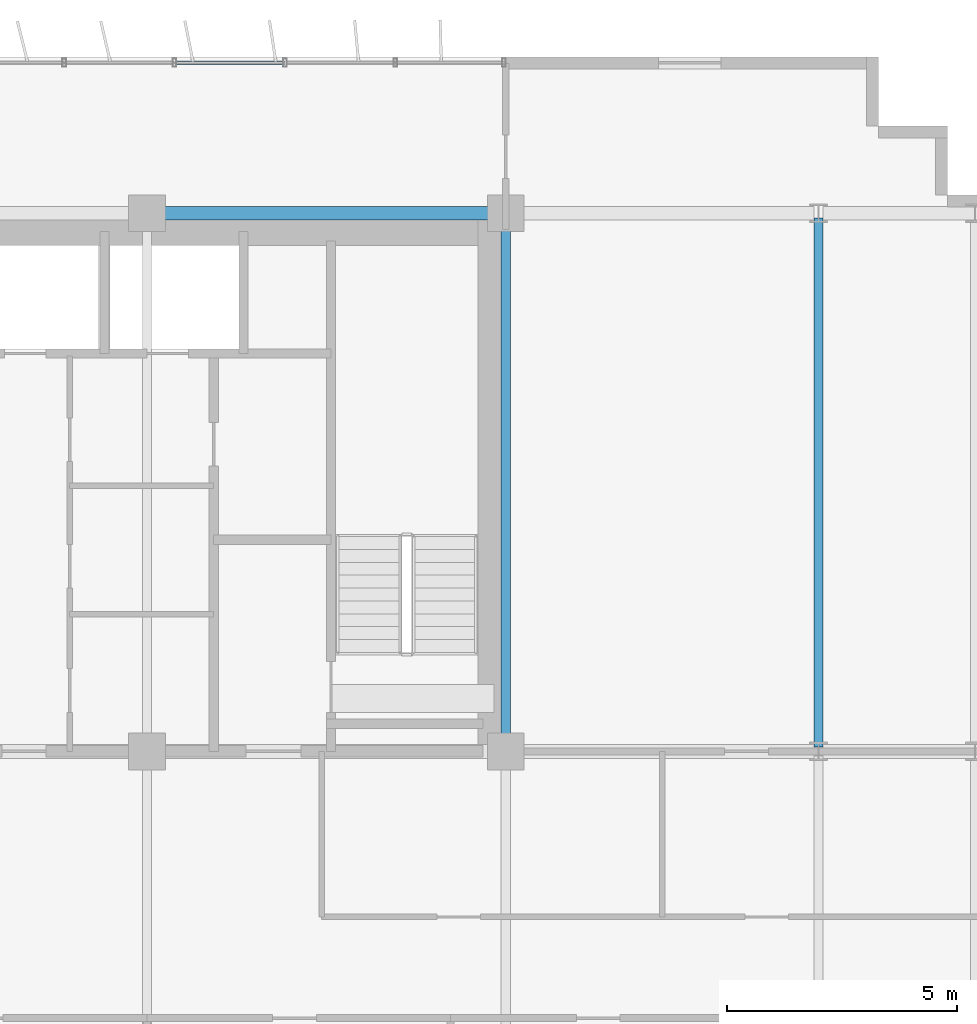
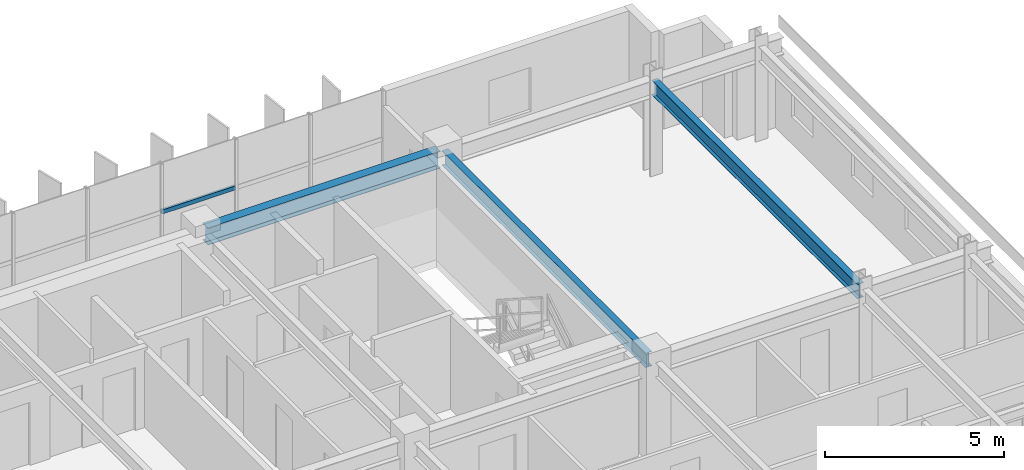
# One storey, part 14 of 26: 3 beams, 1 member, 1 element without a shape of its own.
"""IFC4 building model written with IfcOpenShell, lengths in metres."""

import ifcopenshell
import ifcopenshell.guid

model = None  # the IFC model being written
_history = None  # IfcOwnerHistory: only IFC2X3 demands one
_inside = {}  # id of a spatial element -> (the spatial element, [elements in it])
_under = {}  # id of a project, library or spatial element -> (it, [spatial elements below it])
_declared = {}  # id of a project -> (the project, [libraries it declares])
_typed = {}  # id of a type object -> (the type object, [elements of that type])
_made_of = {}  # id of a material, layer set ... -> (it, [elements and type objects made of it])


def new_model(schema):
    """Start an empty IFC model of exactly this schema.

    Asked for "IFC4X3", IfcOpenShell would pick the latest addendum, in which some entities
    have other attributes; the version numbers below select the first issue.
    IFC2X3 requires an IfcOwnerHistory on every rooted entity: one is made here for all.
    """
    global model, _history
    if schema == "IFC4X3":
        model = ifcopenshell.file(schema_version=(4, 3, 0, 0))
    else:
        model = ifcopenshell.file(schema=schema)
    _inside.clear()
    _under.clear()
    _declared.clear()
    _typed.clear()
    _made_of.clear()
    _history = None
    if model.schema == "IFC2X3":
        org = make("IfcOrganization", Name="unknown")
        user = make(
            "IfcPersonAndOrganization",
            ThePerson=make("IfcPerson", FamilyName="unknown"),
            TheOrganization=org,
        )
        app = make(
            "IfcApplication",
            ApplicationDeveloper=org,
            Version="unknown",
            ApplicationFullName="unknown",
            ApplicationIdentifier="unknown",
        )
        _history = make(
            "IfcOwnerHistory",
            OwningUser=user,
            OwningApplication=app,
            ChangeAction="ADDED",
            CreationDate=0,
        )
    return model


def make(cls, **values):
    """One entity of the class cls with the attributes given. An attribute that is None is left unset."""
    return model.create_entity(
        cls, **{name: value for name, value in values.items() if value is not None}
    )


def rooted(cls, **values):
    """An entity with a GlobalId (a new one), such as an element, a storey or a relation."""
    return make(cls, GlobalId=ifcopenshell.guid.new(), OwnerHistory=_history, **values)


def si_unit(unit_type, name, prefix=None):
    """IfcSIUnit, for example si_unit("LENGTHUNIT", "METRE", prefix="MILLI")."""
    return make("IfcSIUnit", UnitType=unit_type, Prefix=prefix, Name=name)


def assignment(units):
    """IfcUnitAssignment: the units of a project."""
    return None if units is None else make("IfcUnitAssignment", Units=units)


def point(xyz):
    """IfcCartesianPoint."""
    return None if xyz is None else make("IfcCartesianPoint", Coordinates=xyz)


def direction(xyz):
    """IfcDirection."""
    return None if xyz is None else make("IfcDirection", DirectionRatios=xyz)


def frame(location, z_axis=None, x_axis=None):
    """IfcAxis2Placement3D, a coordinate frame: its origin and axes. An axis left out is left unset."""
    return make(
        "IfcAxis2Placement3D",
        Location=point(location),
        Axis=direction(z_axis),
        RefDirection=direction(x_axis),
    )


def frame_2d(location, x_axis=None):
    """IfcAxis2Placement2D, a coordinate frame in the plane: its origin and x axis."""
    return make(
        "IfcAxis2Placement2D", Location=point(location), RefDirection=direction(x_axis)
    )


def origin():
    """The frame at (0, 0, 0) with its axes left unset."""
    return frame((0.0, 0.0, 0.0))


def origin_2d():
    """The frame at (0, 0) in the plane with its x axis left unset."""
    return frame_2d((0.0, 0.0))


def place(relative_to, where):
    """IfcLocalPlacement: puts the frame where relative to a parent placement (None: the world)."""
    return make(
        "IfcLocalPlacement", PlacementRelTo=relative_to, RelativePlacement=where
    )


def context(
    kind, dimensions, precision=None, world=None, true_north=None, identifier=None
):
    """IfcGeometricRepresentationContext, for example the 3D "Model" context."""
    return make(
        "IfcGeometricRepresentationContext",
        ContextIdentifier=identifier,
        ContextType=kind,
        CoordinateSpaceDimension=dimensions,
        Precision=precision,
        WorldCoordinateSystem=world,
        TrueNorth=true_north,
    )


def subcontext(parent, identifier, kind, view, scale=None):
    """IfcGeometricRepresentationSubContext, for example "Body" below "Model"."""
    return make(
        "IfcGeometricRepresentationSubContext",
        ContextIdentifier=identifier,
        ContextType=kind,
        ParentContext=parent,
        TargetScale=scale,
        TargetView=view,
    )


def project(units=None, contexts=None):
    """IfcProject with its units and contexts."""
    return rooted(
        "IfcProject",
        Name="project",
        RepresentationContexts=contexts,
        UnitsInContext=assignment(units),
    )


def spatial(cls, under=None, at=None, **own):
    """A site, building, storey or space (cls), placed at a placement, below another one or the project."""
    s = rooted(cls, ObjectPlacement=at, **own)
    if under is not None:
        _under.setdefault(under.id(), (under, []))[1].append(s)
    return s


def profile(cls, at=None, kind="AREA", **sizes):
    """A parametric profile (cls). Its sizes go by their IFC names, for example OverallWidth=200.0."""
    return make(cls, ProfileType=kind, Position=at, **sizes)


def hollow_rectangle(**sizes):
    """IfcRectangleHollowProfileDef."""
    return profile("IfcRectangleHollowProfileDef", **sizes)


def i_section(**sizes):
    """IfcIShapeProfileDef."""
    return profile("IfcIShapeProfileDef", **sizes)


def extrude(swept, where, along, depth):
    """IfcExtrudedAreaSolid: the profile swept, set in the frame where, extruded along a direction by depth."""
    return make(
        "IfcExtrudedAreaSolid",
        SweptArea=swept,
        Position=where,
        ExtrudedDirection=direction(along),
        Depth=depth,
    )


def shape(context_of_items, identifier, shape_type, items):
    """IfcShapeRepresentation: the items that make up one representation, for example the "Body"."""
    return make(
        "IfcShapeRepresentation",
        ContextOfItems=context_of_items,
        RepresentationIdentifier=identifier,
        RepresentationType=shape_type,
        Items=items,
    )


def source(mapping_origin, context_of_items, identifier, shape_type, items):
    """IfcRepresentationMap: a shape defined once, which mapped items show again and again."""
    return make(
        "IfcRepresentationMap",
        MappingOrigin=mapping_origin,
        MappedRepresentation=shape(context_of_items, identifier, shape_type, items),
    )


def transform(
    local_origin,
    x_axis=None,
    y_axis=None,
    z_axis=None,
    scale=None,
    scale2=None,
    scale3=None,
    uniform=True,
):
    """IfcCartesianTransformationOperator3D, or its non-uniform kind. x_axis, y_axis, z_axis: its Axis1, 2, 3."""
    if uniform:
        return make(
            "IfcCartesianTransformationOperator3D",
            Axis1=direction(x_axis),
            Axis2=direction(y_axis),
            LocalOrigin=point(local_origin),
            Scale=scale,
            Axis3=direction(z_axis),
        )
    return make(
        "IfcCartesianTransformationOperator3DnonUniform",
        Axis1=direction(x_axis),
        Axis2=direction(y_axis),
        LocalOrigin=point(local_origin),
        Scale=scale,
        Axis3=direction(z_axis),
        Scale2=scale2,
        Scale3=scale3,
    )


def mapped(mapping_source, mapping_target):
    """IfcMappedItem: shows the shape of a source again, moved by a transform."""
    return make(
        "IfcMappedItem", MappingSource=mapping_source, MappingTarget=mapping_target
    )


def material(Name=None, Category=None):
    """IfcMaterial."""
    return make("IfcMaterial", Name=Name, Category=Category)


def material_profile(
    of_material, cross_section, Name=None, Category=None, Priority=None
):
    """IfcMaterialProfile: a cross section and its material."""
    return make(
        "IfcMaterialProfile",
        Name=Name,
        Material=of_material,
        Profile=cross_section,
        Priority=Priority,
        Category=Category,
    )


def profile_set(profiles, Name=None, composite=None):
    """IfcMaterialProfileSet."""
    return make(
        "IfcMaterialProfileSet",
        Name=Name,
        MaterialProfiles=profiles,
        CompositeProfile=composite,
    )


def made_of(thing, what):
    """Note that an element or type object is made of a material, layer set ...; save() writes the relation."""
    if what is not None:
        _made_of.setdefault(what.id(), (what, []))[1].append(thing)
    return thing


def type_object(cls, material=None, **own):
    """A type object (cls), such as IfcWallType, which elements share."""
    return made_of(rooted(cls, **own), material)


def element(
    cls,
    number,
    at=None,
    inside=None,
    cuts=None,
    type_object=None,
    material=None,
    context=None,
    identifier="Body",
    shape_type=None,
    held_by="IfcProductDefinitionShape",
    body=None,
    shapes=None,
    **own,
):
    """One element of the class cls, such as IfcWall. Its Tag is "e" and its number.

    at: its placement. inside: the storey or other place that contains it. cuts: it is an
    opening in that element (IfcRelVoidsElement). A single representation is given by context,
    identifier, shape_type and body (its items); several are given by shapes. held_by: the class
    of the entity that holds the representations. save() writes the other relations.
    """
    e = rooted(cls, Tag="e%d" % number, ObjectPlacement=at, **own)
    if body is not None:
        shapes = [shape(context, identifier, shape_type, body)]
    if shapes is not None:
        e.Representation = make(held_by, Representations=shapes)
    if inside is not None:
        _inside.setdefault(inside.id(), (inside, []))[1].append(e)
    if cuts is not None:
        rooted(
            "IfcRelVoidsElement", RelatingBuildingElement=cuts, RelatedOpeningElement=e
        )
    if type_object is not None:
        _typed.setdefault(type_object.id(), (type_object, []))[1].append(e)
    return made_of(e, material)


def aggregate(whole, parts):
    """IfcRelAggregates: a whole, such as a stair, and the parts it consists of."""
    return rooted("IfcRelAggregates", RelatingObject=whole, RelatedObjects=parts)


def save(model, path):
    """Write the relations noted so far, then the file.

    IfcRelAggregates (storeys below a building ...), IfcRelContainedInSpatialStructure (elements
    in a storey), IfcRelDefinesByType, IfcRelAssociatesMaterial and IfcRelDeclares: one each for
    every whole, place, type object, material and project.
    """
    for whole, parts in _under.values():
        aggregate(whole, parts)
    for where, things in _inside.values():
        rooted(
            "IfcRelContainedInSpatialStructure",
            RelatedElements=things,
            RelatingStructure=where,
        )
    for kind, things in _typed.values():
        rooted("IfcRelDefinesByType", RelatedObjects=things, RelatingType=kind)
    for what, things in _made_of.values():
        rooted("IfcRelAssociatesMaterial", RelatedObjects=things, RelatingMaterial=what)
    for by, libraries in _declared.values():
        rooted("IfcRelDeclares", RelatingContext=by, RelatedDefinitions=libraries)
    model.write(path)


model = new_model("IFC4")

# Units and contexts
model_context = context("Model", 3, precision=1e-05, world=origin(), true_north=direction((0.0, 1.0)))
body_context = subcontext(model_context, "Body", "Model", "MODEL_VIEW")
ifc_project = project(units=[si_unit("LENGTHUNIT", "METRE"), si_unit("AREAUNIT", "SQUARE_METRE"), si_unit("VOLUMEUNIT", "CUBIC_METRE"), si_unit("PLANEANGLEUNIT", "RADIAN"), si_unit("MASSUNIT", "GRAM", prefix="KILO")], contexts=[model_context])

# Site, building, storey
site_placement = place(None, origin())
site = spatial("IfcSite", under=ifc_project, at=site_placement, CompositionType="ELEMENT")
building_placement = place(site_placement, origin())
building = spatial("IfcBuilding", under=site, at=building_placement, Name="Trelvane Seafront Commons", CompositionType="ELEMENT")
storey_placement = place(building_placement, frame((0.0, 0.0, 128.5)))
storey = spatial("IfcBuildingStorey", under=building, at=storey_placement, Name="L33", CompositionType="ELEMENT", Elevation=128.5)

# Beams
ifc_material_1 = material(Name="Steel SM355 (S355)", Category="steel")
ifc_material_profile_1 = material_profile(ifc_material_1, i_section(OverallWidth=0.300048828125, OverallDepth=0.587890625, WebThickness=0.011962890625, FlangeThickness=0.02001953125, at=origin_2d()), Name="H-588x300x12x20")
ifc_profile_set_1 = profile_set([ifc_material_profile_1], Name="Steel SM355 (S355)")
beam_type_1 = type_object("IfcBeamType", Name="STR-BM-H588", PredefinedType="BEAM", material=ifc_profile_set_1)
shared_shape_1 = source(origin(), body_context, "Body", "SweptSolid", [
    extrude(i_section(OverallWidth=0.300048828125, OverallDepth=0.587890625, WebThickness=0.011962890625, FlangeThickness=0.02001953125, at=origin_2d()), origin(), (0.0, 0.0, 1.0), 7.5),
])
beam_1_placement = place(storey_placement, frame((51.14990234375, 45.10009765625, 2.926025390625), z_axis=(1.0, 0.0, 0.0), x_axis=(0.0, 1.0, 0.0)))
element("IfcBeam", 1, at=beam_1_placement, inside=storey, type_object=beam_type_1, Name="L33 Primary Girder G-34", PredefinedType="BEAM", context=body_context, shape_type="MappedRepresentation", body=[
    mapped(shared_shape_1, transform((0.0, 0.0, 0.0), x_axis=(1.0, 0.0, 0.0), y_axis=(0.0, 1.0, 0.0), z_axis=(0.0, 0.0, 1.0), scale=1.0)),
])
ifc_material_profile_2 = material_profile(ifc_material_1, i_section(OverallWidth=0.199951171875, OverallDepth=0.5, WebThickness=0.010009765625, FlangeThickness=0.01611328125, at=origin_2d()), Name="H-500x200x10x16")
ifc_profile_set_2 = profile_set([ifc_material_profile_2], Name="Steel SM355 (S355)")
beam_type_2 = type_object("IfcBeamType", Name="STR-BM-H500", PredefinedType="BEAM", material=ifc_profile_set_2)
shared_shape_2 = source(origin(), body_context, "Body", "SweptSolid", [
    extrude(i_section(OverallWidth=0.199951171875, OverallDepth=0.5, WebThickness=0.010009765625, FlangeThickness=0.01611328125, at=origin_2d()), origin(), (0.0, 0.0, 1.0), 11.5),
])
beam_2_placement = place(storey_placement, frame((65.60009765625, 33.5, 2.969970703125), z_axis=(0.0, 1.0, 0.0), x_axis=(-1.0, 0.0, 0.0)))
element("IfcBeam", 2, at=beam_2_placement, inside=storey, type_object=beam_type_2, Name="L33 Primary Girder G-63", PredefinedType="BEAM", context=body_context, shape_type="MappedRepresentation", body=[
    mapped(shared_shape_2, transform((0.0, 0.0, 0.0), x_axis=(1.0, 0.0, 0.0), y_axis=(0.0, 1.0, 0.0), z_axis=(0.0, 0.0, 1.0), scale=1.0)),
])
shared_shape_3 = source(origin(), body_context, "Body", "SweptSolid", [
    extrude(i_section(OverallWidth=0.199951171875, OverallDepth=0.5, WebThickness=0.010009765625, FlangeThickness=0.01611328125, at=origin_2d()), origin(), (0.0, 0.0, 1.0), 11.39990234375),
])
beam_3_placement = place(storey_placement, frame((58.800048828125, 33.550048828125, 2.969970703125), z_axis=(0.0, 1.0, 0.0), x_axis=(-1.0, 0.0, 0.0)))
element("IfcBeam", 3, at=beam_3_placement, inside=storey, type_object=beam_type_2, Name="L33 Primary Girder G-60", PredefinedType="BEAM", context=body_context, shape_type="MappedRepresentation", body=[
    mapped(shared_shape_3, transform((0.0, 0.0, 0.0), x_axis=(1.0, 0.0, 0.0), y_axis=(0.0, 1.0, 0.0), z_axis=(0.0, 0.0, 1.0), scale=1.0)),
])

# Curtain wall, member
ifc_material_2 = material(Name="Anodised pale-silver aluminium", Category="aluminium")
curtain_wall_type = type_object("IfcCurtainWallType", Name="ARCH-CW4-SKYLOBBY", PredefinedType="NOTDEFINED", material=ifc_material_2)
curtain_wall_placement = place(storey_placement, origin())
curtain_wall = element("IfcCurtainWall", 4, at=curtain_wall_placement, inside=storey, type_object=curtain_wall_type, Name="CW-L33-0059", PredefinedType="NOTDEFINED")
ifc_material_profile_3 = material_profile(ifc_material_2, hollow_rectangle(XDim=0.074951171875, YDim=0.139892578125, WallThickness=0.00390625, at=origin_2d()), Name="TRAN-75x140x4")
ifc_profile_set_3 = profile_set([ifc_material_profile_3], Name="Anodised pale-silver aluminium")
member_type = type_object("IfcMemberType", Name="ARCH-CW-TRAN-140", PredefinedType="USERDEFINED", material=ifc_profile_set_3)
shared_shape_4 = source(origin(), body_context, "Body", "SweptSolid", [
    extrude(hollow_rectangle(XDim=0.074951171875, YDim=0.139892578125, WallThickness=0.00390625, at=origin_2d()), origin(), (0.0, 0.0, 1.0), 2.3759765625),
])
member_placement = place(storey_placement, frame((51.612060546875, 48.3701171875, 1.5458984375), z_axis=(1.0, 0.0, 0.0), x_axis=(0.0, 1.0, 0.0)))
member = element("IfcMember", 5, at=member_placement, type_object=member_type, Name="CW-L33-0059-T15", ObjectType="TRANSOM", PredefinedType="USERDEFINED", context=body_context, shape_type="MappedRepresentation", body=[
    mapped(shared_shape_4, transform((0.0, 0.0, 0.0), x_axis=(1.0, 0.0, 0.0), y_axis=(0.0, 1.0, 0.0), z_axis=(0.0, 0.0, 1.0), scale=1.0)),
])
aggregate(curtain_wall, [member])

save(model, "model.ifc")
